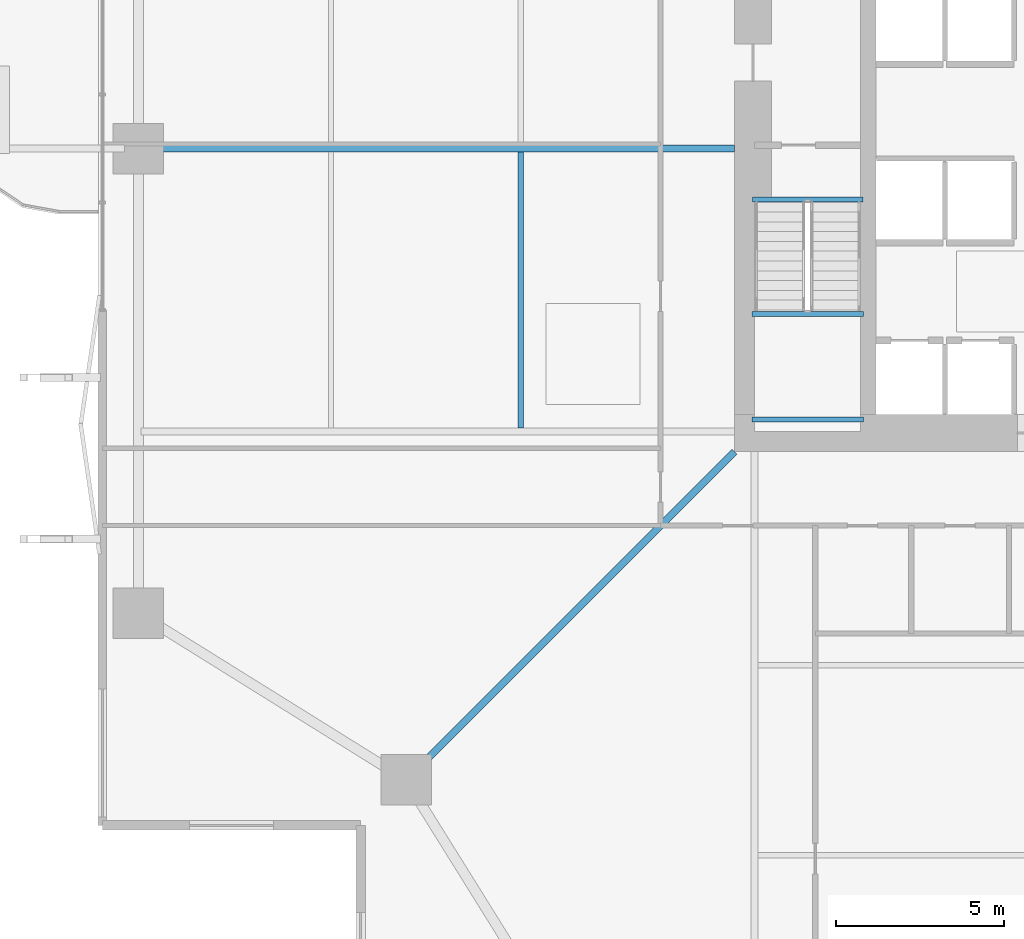
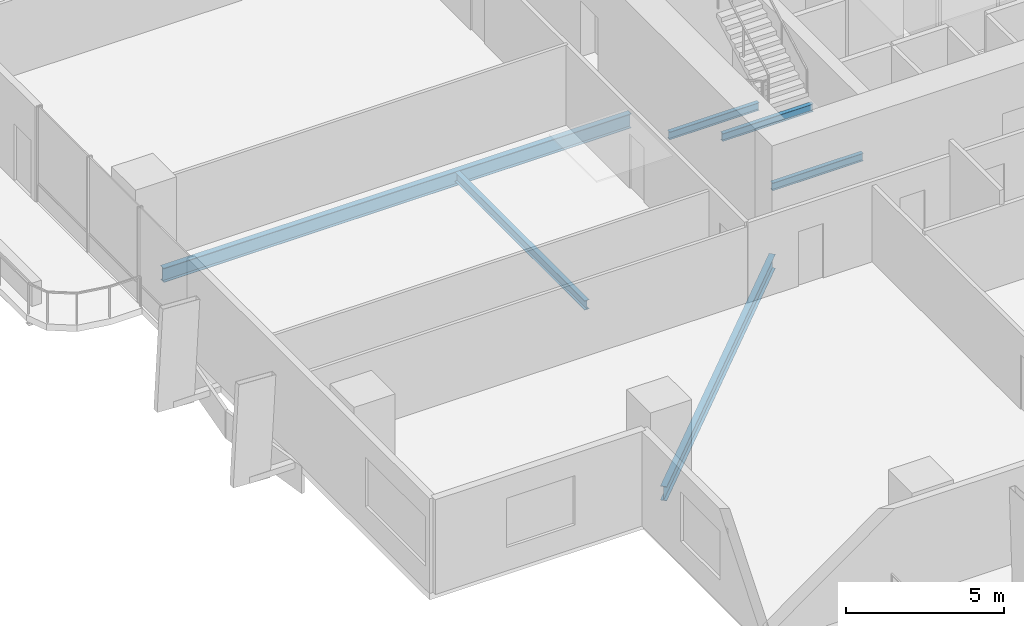
# One storey, part 5 of 23: 6 beams.
"""IFC4 building model written with IfcOpenShell, lengths in metres."""

from ifc_helpers import new_model, si_unit, direction, frame, origin, origin_2d, place, context, subcontext, project, spatial, i_section, extrude, material, material_profile, profile_set, type_object, element, save


model = new_model("IFC4")

# Units and contexts
model_context = context("Model", 3, precision=1e-05, world=origin(), true_north=direction((0.0, 1.0)))
body_context = subcontext(model_context, "Body", "Model", "MODEL_VIEW")
ifc_project = project(units=[si_unit("LENGTHUNIT", "METRE"), si_unit("AREAUNIT", "SQUARE_METRE"), si_unit("VOLUMEUNIT", "CUBIC_METRE"), si_unit("PLANEANGLEUNIT", "RADIAN"), si_unit("MASSUNIT", "GRAM", prefix="KILO")], contexts=[model_context])

# Site, building, storey
site_placement = place(None, origin())
site = spatial("IfcSite", under=ifc_project, at=site_placement, CompositionType="ELEMENT")
building_placement = place(site_placement, origin())
building = spatial("IfcBuilding", under=site, at=building_placement, Name="Belovzor Exchange Tower", CompositionType="ELEMENT")
storey_placement = place(building_placement, frame((0.0, 0.0, 65.10009765625)))
storey = spatial("IfcBuildingStorey", under=building, at=storey_placement, Name="L15", CompositionType="ELEMENT", Elevation=65.10009765625)

# Beams
ifc_material_1 = material(Name="Steel S355", Category="steel")
ifc_material_profile_1 = material_profile(ifc_material_1, i_section(OverallWidth=0.169921875, OverallDepth=0.360107421875, WebThickness=0.008056640625, FlangeThickness=0.0126953125, at=origin_2d()))
ifc_profile_set_1 = profile_set([ifc_material_profile_1], Name="Steel S355")
beam_type_1 = type_object("IfcBeamType", Name="Secondary Infill Floor Joist IPE 360", PredefinedType="BEAM", material=ifc_profile_set_1)
beam_1_placement = place(storey_placement, frame((13.455078125, 20.5048828125, -0.43017578125), z_axis=(0.0, 1.0, 0.0), x_axis=(-1.0, 0.0, 0.0)))
element("IfcBeam", 1, at=beam_1_placement, inside=storey, type_object=beam_type_1, Name="FJ-360 Secondary Infill Floor Joist IPE 360", PredefinedType="BEAM", context=body_context, shape_type="SweptSolid", body=[
    extrude(i_section(OverallWidth=0.169921875, OverallDepth=0.360107421875, WebThickness=0.008056640625, FlangeThickness=0.0126953125, at=origin_2d()), origin(), (0.0, 0.0, 1.0), 8.190185546875),
])
ifc_material_2 = material(Name="Steel S355", Category="steel")
ifc_material_profile_2 = material_profile(ifc_material_2, i_section(OverallWidth=0.14990234375, OverallDepth=0.300048828125, WebThickness=0.007080078125, FlangeThickness=0.0107421875, at=origin_2d()))
ifc_profile_set_2 = profile_set([ifc_material_profile_2], Name="Steel S355")
beam_type_2 = type_object("IfcBeamType", Name="Secondary Trim Floor Joist IPE 300", PredefinedType="BEAM", material=ifc_profile_set_2)
for number, where, z_axis, x_axis, name in (
    (2, (20.320068359375, 23.889892578125, 1.599853515625), (1.0, 0.0, 0.0), (0.0, 1.0, 0.0), "FJ-300 Secondary Trim Floor Joist IPE 300"),
    (3, (20.320068359375, 20.75, 1.599853515625), (1.0, 0.0, 0.0), (0.0, 1.0, 0.0), "FJ-300 Secondary Trim Floor Joist IPE 300"),
):
    element("IfcBeam", number, at=place(storey_placement, frame(where, z_axis=z_axis, x_axis=x_axis)), inside=storey, type_object=beam_type_2, Name=name, PredefinedType="BEAM", context=body_context, shape_type="SweptSolid", body=[
        extrude(i_section(OverallWidth=0.14990234375, OverallDepth=0.300048828125, WebThickness=0.007080078125, FlangeThickness=0.0107421875, at=origin_2d()), origin(), (0.0, 0.0, 1.0), 3.309814453125),
    ])
beam_2_placement = place(storey_placement, frame((20.340087890625, 27.280029296875, -0.400146484375), z_axis=(1.0, 0.0, 0.0), x_axis=(0.0, 1.0, 0.0)))
element("IfcBeam", 4, at=beam_2_placement, inside=storey, type_object=beam_type_2, Name="FJ-300 Secondary Trim Floor Joist IPE 300", PredefinedType="BEAM", context=body_context, shape_type="SweptSolid", body=[
    extrude(i_section(OverallWidth=0.14990234375, OverallDepth=0.300048828125, WebThickness=0.007080078125, FlangeThickness=0.0107421875, at=origin_2d()), origin(), (0.0, 0.0, 1.0), 3.27001953125),
])
ifc_material_3 = material(Name="Steel S355", Category="steel")
ifc_material_profile_3 = material_profile(ifc_material_3, i_section(OverallWidth=0.2099609375, OverallDepth=0.550048828125, WebThickness=0.010986328125, FlangeThickness=0.01708984375, at=origin_2d()))
ifc_profile_set_3 = profile_set([ifc_material_profile_3], Name="Steel S355")
beam_type_3 = type_object("IfcBeamType", Name="Zone 1 Radial Composite Floor Beam IPE 550", PredefinedType="BEAM", material=ifc_profile_set_3)
beam_3_placement = place(storey_placement, frame((19.800048828125, 28.800048828125, -0.525146484375), z_axis=(-1.0, 0.0, 0.0), x_axis=(0.0, -1.0, 0.0)))
element("IfcBeam", 5, at=beam_3_placement, inside=storey, type_object=beam_type_3, Name="FB-550 Zone 1 Radial Composite Floor Beam IPE 550", PredefinedType="BEAM", context=body_context, shape_type="SweptSolid", body=[
    extrude(i_section(OverallWidth=0.2099609375, OverallDepth=0.550048828125, WebThickness=0.010986328125, FlangeThickness=0.01708984375, at=origin_2d()), origin(), (0.0, 0.0, 1.0), 17.0400390625),
])
beam_4_placement = place(storey_placement, frame((19.800048828125, 19.800048828125, -0.525146484375), z_axis=(-0.707106781187, -0.707106781187, 0.0), x_axis=(0.707106781187, -0.707106781187, 0.0)))
element("IfcBeam", 6, at=beam_4_placement, inside=storey, type_object=beam_type_3, Name="FB-550 Zone 1 Radial Composite Floor Beam IPE 550", PredefinedType="BEAM", context=body_context, shape_type="SweptSolid", body=[
    extrude(i_section(OverallWidth=0.2099609375, OverallDepth=0.550048828125, WebThickness=0.010986328125, FlangeThickness=0.01708984375, at=origin_2d()), origin(), (0.0, 0.0, 1.0), 13.25830078125),
])

save(model, "model.ifc")
